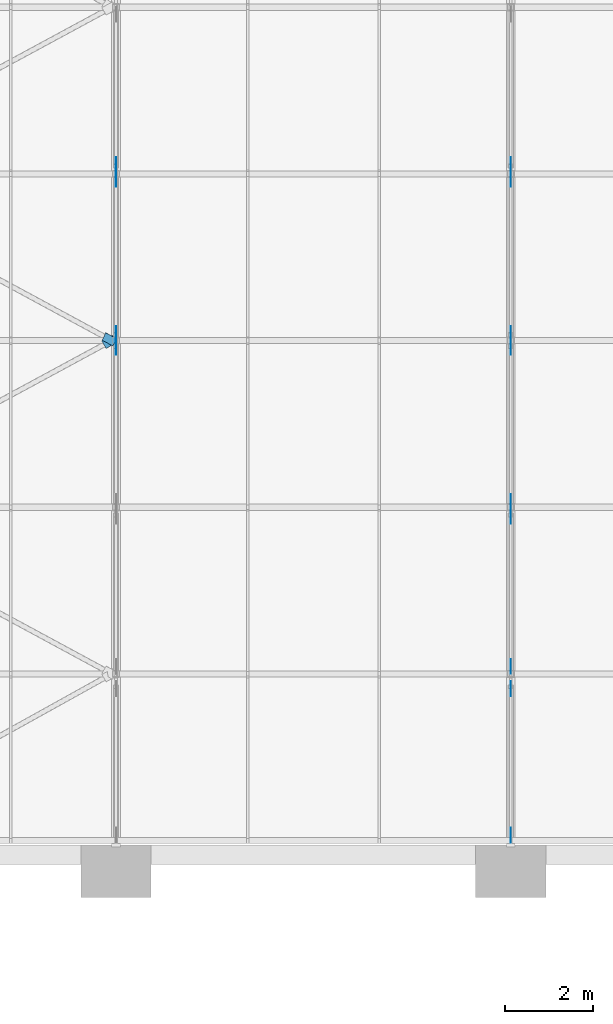
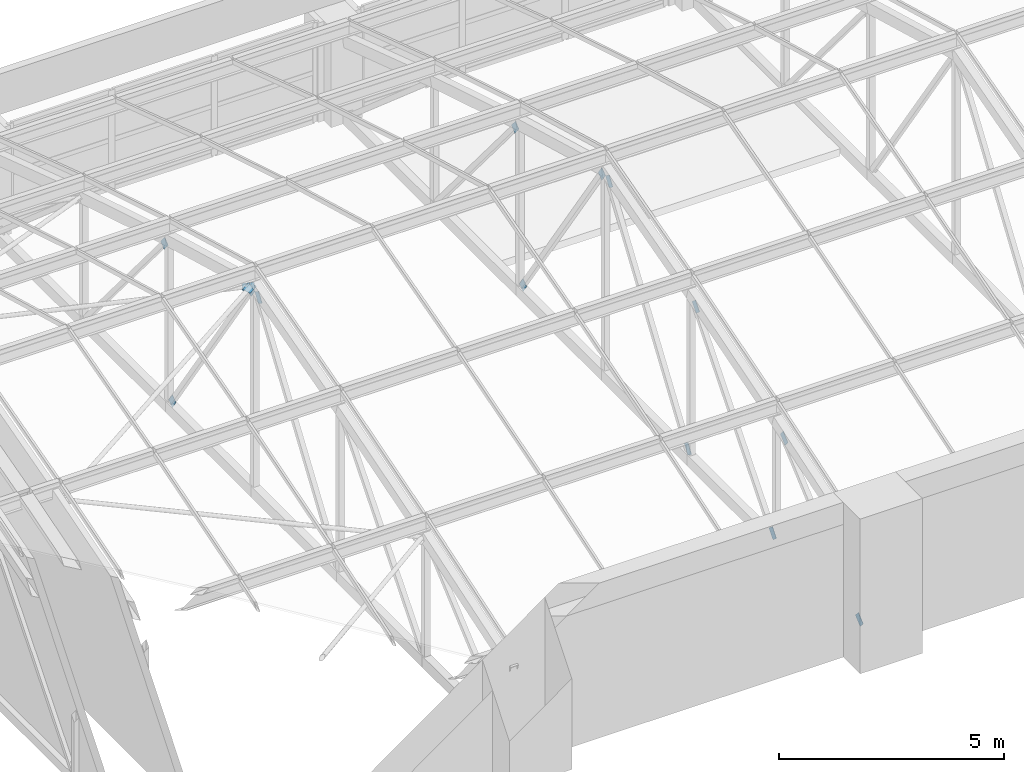
# One storey, part 72 of 82: 15 discrete accessories.
"""IFC4 building model written with IfcOpenShell, lengths in metres."""

import ifcopenshell
import ifcopenshell.guid

model = None  # the IFC model being written
_history = None  # IfcOwnerHistory: only IFC2X3 demands one
_inside = {}  # id of a spatial element -> (the spatial element, [elements in it])
_under = {}  # id of a project, library or spatial element -> (it, [spatial elements below it])
_declared = {}  # id of a project -> (the project, [libraries it declares])
_typed = {}  # id of a type object -> (the type object, [elements of that type])
_made_of = {}  # id of a material, layer set ... -> (it, [elements and type objects made of it])


def new_model(schema):
    """Start an empty IFC model of exactly this schema.

    Asked for "IFC4X3", IfcOpenShell would pick the latest addendum, in which some entities
    have other attributes; the version numbers below select the first issue.
    IFC2X3 requires an IfcOwnerHistory on every rooted entity: one is made here for all.
    """
    global model, _history
    if schema == "IFC4X3":
        model = ifcopenshell.file(schema_version=(4, 3, 0, 0))
    else:
        model = ifcopenshell.file(schema=schema)
    _inside.clear()
    _under.clear()
    _declared.clear()
    _typed.clear()
    _made_of.clear()
    _history = None
    if model.schema == "IFC2X3":
        org = make("IfcOrganization", Name="unknown")
        user = make(
            "IfcPersonAndOrganization",
            ThePerson=make("IfcPerson", FamilyName="unknown"),
            TheOrganization=org,
        )
        app = make(
            "IfcApplication",
            ApplicationDeveloper=org,
            Version="unknown",
            ApplicationFullName="unknown",
            ApplicationIdentifier="unknown",
        )
        _history = make(
            "IfcOwnerHistory",
            OwningUser=user,
            OwningApplication=app,
            ChangeAction="ADDED",
            CreationDate=0,
        )
    return model


def make(cls, **values):
    """One entity of the class cls with the attributes given. An attribute that is None is left unset."""
    return model.create_entity(
        cls, **{name: value for name, value in values.items() if value is not None}
    )


def rooted(cls, **values):
    """An entity with a GlobalId (a new one), such as an element, a storey or a relation."""
    return make(cls, GlobalId=ifcopenshell.guid.new(), OwnerHistory=_history, **values)


def si_unit(unit_type, name, prefix=None):
    """IfcSIUnit, for example si_unit("LENGTHUNIT", "METRE", prefix="MILLI")."""
    return make("IfcSIUnit", UnitType=unit_type, Prefix=prefix, Name=name)


def assignment(units):
    """IfcUnitAssignment: the units of a project."""
    return None if units is None else make("IfcUnitAssignment", Units=units)


def point(xyz):
    """IfcCartesianPoint."""
    return None if xyz is None else make("IfcCartesianPoint", Coordinates=xyz)


def direction(xyz):
    """IfcDirection."""
    return None if xyz is None else make("IfcDirection", DirectionRatios=xyz)


def frame(location, z_axis=None, x_axis=None):
    """IfcAxis2Placement3D, a coordinate frame: its origin and axes. An axis left out is left unset."""
    return make(
        "IfcAxis2Placement3D",
        Location=point(location),
        Axis=direction(z_axis),
        RefDirection=direction(x_axis),
    )


def origin():
    """The frame at (0, 0, 0) with its axes left unset."""
    return frame((0.0, 0.0, 0.0))


def place(relative_to, where):
    """IfcLocalPlacement: puts the frame where relative to a parent placement (None: the world)."""
    return make(
        "IfcLocalPlacement", PlacementRelTo=relative_to, RelativePlacement=where
    )


def context(
    kind, dimensions, precision=None, world=None, true_north=None, identifier=None
):
    """IfcGeometricRepresentationContext, for example the 3D "Model" context."""
    return make(
        "IfcGeometricRepresentationContext",
        ContextIdentifier=identifier,
        ContextType=kind,
        CoordinateSpaceDimension=dimensions,
        Precision=precision,
        WorldCoordinateSystem=world,
        TrueNorth=true_north,
    )


def subcontext(parent, identifier, kind, view, scale=None):
    """IfcGeometricRepresentationSubContext, for example "Body" below "Model"."""
    return make(
        "IfcGeometricRepresentationSubContext",
        ContextIdentifier=identifier,
        ContextType=kind,
        ParentContext=parent,
        TargetScale=scale,
        TargetView=view,
    )


def project(units=None, contexts=None):
    """IfcProject with its units and contexts."""
    return rooted(
        "IfcProject",
        Name="project",
        RepresentationContexts=contexts,
        UnitsInContext=assignment(units),
    )


def spatial(cls, under=None, at=None, **own):
    """A site, building, storey or space (cls), placed at a placement, below another one or the project."""
    s = rooted(cls, ObjectPlacement=at, **own)
    if under is not None:
        _under.setdefault(under.id(), (under, []))[1].append(s)
    return s


def polyline(points):
    """IfcPolyline through the points."""
    return make("IfcPolyline", Points=[point(p) for p in points])


def outline(outer, holes=None, kind="AREA"):
    """IfcArbitraryClosedProfileDef: a profile drawn as a closed curve; with holes, ...WithVoids."""
    if holes is None:
        return make("IfcArbitraryClosedProfileDef", ProfileType=kind, OuterCurve=outer)
    return make(
        "IfcArbitraryProfileDefWithVoids",
        ProfileType=kind,
        OuterCurve=outer,
        InnerCurves=holes,
    )


def extrude(swept, where, along, depth):
    """IfcExtrudedAreaSolid: the profile swept, set in the frame where, extruded along a direction by depth."""
    return make(
        "IfcExtrudedAreaSolid",
        SweptArea=swept,
        Position=where,
        ExtrudedDirection=direction(along),
        Depth=depth,
    )


def shape(context_of_items, identifier, shape_type, items):
    """IfcShapeRepresentation: the items that make up one representation, for example the "Body"."""
    return make(
        "IfcShapeRepresentation",
        ContextOfItems=context_of_items,
        RepresentationIdentifier=identifier,
        RepresentationType=shape_type,
        Items=items,
    )


def material(Name=None, Category=None):
    """IfcMaterial."""
    return make("IfcMaterial", Name=Name, Category=Category)


def layer(
    of_material, thickness, ventilated=None, Name=None, Category=None, Priority=None
):
    """IfcMaterialLayer: one layer of a wall or slab, of a material (None: an air gap)."""
    return make(
        "IfcMaterialLayer",
        Material=of_material,
        LayerThickness=thickness,
        IsVentilated=ventilated,
        Name=Name,
        Category=Category,
        Priority=Priority,
    )


def layer_set(layers, Name=None):
    """IfcMaterialLayerSet."""
    return make("IfcMaterialLayerSet", MaterialLayers=layers, LayerSetName=Name)


def made_of(thing, what):
    """Note that an element or type object is made of a material, layer set ...; save() writes the relation."""
    if what is not None:
        _made_of.setdefault(what.id(), (what, []))[1].append(thing)
    return thing


def type_object(cls, material=None, **own):
    """A type object (cls), such as IfcWallType, which elements share."""
    return made_of(rooted(cls, **own), material)


def element(
    cls,
    number,
    at=None,
    inside=None,
    cuts=None,
    type_object=None,
    material=None,
    context=None,
    identifier="Body",
    shape_type=None,
    held_by="IfcProductDefinitionShape",
    body=None,
    shapes=None,
    **own,
):
    """One element of the class cls, such as IfcWall. Its Tag is "e" and its number.

    at: its placement. inside: the storey or other place that contains it. cuts: it is an
    opening in that element (IfcRelVoidsElement). A single representation is given by context,
    identifier, shape_type and body (its items); several are given by shapes. held_by: the class
    of the entity that holds the representations. save() writes the other relations.
    """
    e = rooted(cls, Tag="e%d" % number, ObjectPlacement=at, **own)
    if body is not None:
        shapes = [shape(context, identifier, shape_type, body)]
    if shapes is not None:
        e.Representation = make(held_by, Representations=shapes)
    if inside is not None:
        _inside.setdefault(inside.id(), (inside, []))[1].append(e)
    if cuts is not None:
        rooted(
            "IfcRelVoidsElement", RelatingBuildingElement=cuts, RelatedOpeningElement=e
        )
    if type_object is not None:
        _typed.setdefault(type_object.id(), (type_object, []))[1].append(e)
    return made_of(e, material)


def aggregate(whole, parts):
    """IfcRelAggregates: a whole, such as a stair, and the parts it consists of."""
    return rooted("IfcRelAggregates", RelatingObject=whole, RelatedObjects=parts)


def save(model, path):
    """Write the relations noted so far, then the file.

    IfcRelAggregates (storeys below a building ...), IfcRelContainedInSpatialStructure (elements
    in a storey), IfcRelDefinesByType, IfcRelAssociatesMaterial and IfcRelDeclares: one each for
    every whole, place, type object, material and project.
    """
    for whole, parts in _under.values():
        aggregate(whole, parts)
    for where, things in _inside.values():
        rooted(
            "IfcRelContainedInSpatialStructure",
            RelatedElements=things,
            RelatingStructure=where,
        )
    for kind, things in _typed.values():
        rooted("IfcRelDefinesByType", RelatedObjects=things, RelatingType=kind)
    for what, things in _made_of.values():
        rooted("IfcRelAssociatesMaterial", RelatedObjects=things, RelatingMaterial=what)
    for by, libraries in _declared.values():
        rooted("IfcRelDeclares", RelatingContext=by, RelatedDefinitions=libraries)
    model.write(path)


model = new_model("IFC4")

# Units and contexts
model_context = context("Model", 3, precision=1e-05, world=origin(), true_north=direction((0.0, 1.0)))
body_context = subcontext(model_context, "Body", "Model", "MODEL_VIEW")
ifc_project = project(units=[si_unit("LENGTHUNIT", "METRE"), si_unit("AREAUNIT", "SQUARE_METRE"), si_unit("VOLUMEUNIT", "CUBIC_METRE"), si_unit("PLANEANGLEUNIT", "RADIAN"), si_unit("MASSUNIT", "GRAM", prefix="KILO")], contexts=[model_context])

# Site, building, storey
site_placement = place(None, origin())
site = spatial("IfcSite", under=ifc_project, at=site_placement, CompositionType="ELEMENT")
building_placement = place(site_placement, origin())
building = spatial("IfcBuilding", under=site, at=building_placement, Name="Aravalli Gate Trade Fair Centre", CompositionType="ELEMENT")
storey_placement = place(building_placement, frame((0.0, 0.0, 19.199951171875)))
storey = spatial("IfcBuildingStorey", under=building, at=storey_placement, Name="L04", CompositionType="ELEMENT", Elevation=19.199951171875)

# Discrete accessories
ifc_material = material(Name="Steel E350", Category="steel")
ifc_layer = layer(ifc_material, 0.010009765625)
ifc_layer_set = layer_set([ifc_layer], Name="Steel E350")
discrete_accessory_type = type_object("IfcDiscreteAccessoryType", Name="Gusset plate 200 x 200 x 10", PredefinedType="USERDEFINED", material=ifc_layer_set)
discrete_accessory_1_placement = place(storey_placement, frame((113.9951171875, 120.77392578125, 5.423828125), z_axis=(-1.0, 0.0, 0.0), x_axis=(0.0, 0.564121160258, 0.82569202282)))
element("IfcDiscreteAccessory", 1, at=discrete_accessory_1_placement, inside=storey, type_object=discrete_accessory_type, Name="Gusset plate Concourse vault truss CT1 line 13 diagonal D3 end B", ObjectType="GUSSET PLATE", PredefinedType="USERDEFINED", context=body_context, shape_type="SweptSolid", body=[
    extrude(outline(polyline([(0.0, 0.0), (0.2800089688227054, -2.7755575615628914e-17), (0.2801803266875835, 0.19976261286755298), (0.00010749779101053292, 0.20010192272670302), (0.0, 0.0)])), origin(), (0.0, 0.0, -1.0), 0.010009765625),
])
discrete_accessory_2_placement = place(storey_placement, frame((113.9951171875, 121.2607421875, 5.31103515625), z_axis=(-1.0, 0.0, 0.0), x_axis=(0.0, -0.563120416317, 0.826374852429)))
element("IfcDiscreteAccessory", 2, at=discrete_accessory_2_placement, inside=storey, type_object=discrete_accessory_type, Name="Gusset plate Concourse vault truss CT1 line 13 diagonal D4 end A", ObjectType="GUSSET PLATE", PredefinedType="USERDEFINED", context=body_context, shape_type="SweptSolid", body=[
    extrude(outline(polyline([(0.0, 0.0), (0.28007303443443027, 0.0), (0.2800062095132191, 0.19996442554114646), (0.00013492675174497926, 0.20010190611153644), (0.0, 0.0)])), origin(), (0.0, 0.0, -1.0), 0.010009765625),
])
discrete_accessory_3_placement = place(storey_placement, frame((114.0048828125, 124.602294921875, 0.408935546875), z_axis=(1.0, 0.0, 0.0), x_axis=(0.0, 0.563526286674, -0.826098132323)))
element("IfcDiscreteAccessory", 3, at=discrete_accessory_3_placement, inside=storey, type_object=discrete_accessory_type, Name="Gusset plate Concourse vault truss CT1 line 13 diagonal D4 end B", ObjectType="GUSSET PLATE", PredefinedType="USERDEFINED", context=body_context, shape_type="SweptSolid", body=[
    extrude(outline(polyline([(0.0, 0.0), (0.279871316528615, 0.0), (0.2800363695260922, 0.19996436858870342), (-3.6631116859461854e-05, 0.20010194824853597), (0.0, 0.0)])), origin(), (0.0, 0.0, -1.0), 0.010009765625),
])
discrete_accessory_4_placement = place(storey_placement, frame((113.9951171875, 125.128662109375, 4.24560546875), z_axis=(-1.0, 0.0, 0.0), x_axis=(0.0, -0.643008166301, 0.765859320025)))
element("IfcDiscreteAccessory", 4, at=discrete_accessory_4_placement, inside=storey, type_object=discrete_accessory_type, Name="Gusset plate Concourse vault truss CT1 line 13 diagonal D5 end A", ObjectType="GUSSET PLATE", PredefinedType="USERDEFINED", context=body_context, shape_type="SweptSolid", body=[
    extrude(outline(polyline([(0.0, 0.0), (0.28020760962713065, 0.0), (0.2803154566443524, 0.19996559992596197), (0.00010784701722174606, 0.19996559992596197), (0.0, 0.0)])), origin(), (0.0, 0.0, -1.0), 0.010009765625),
])
discrete_accessory_5_placement = place(storey_placement, frame((123.0048828125, 109.859375, 0.506591796875), z_axis=(1.0, 0.0, 0.0), x_axis=(0.0, -0.75586164892, -0.654731370633)))
element("IfcDiscreteAccessory", 5, at=discrete_accessory_5_placement, inside=storey, type_object=discrete_accessory_type, Name="Gusset plate Concourse vault truss CT1 line 14 diagonal D1 end A", ObjectType="GUSSET PLATE", PredefinedType="USERDEFINED", context=body_context, shape_type="SweptSolid", body=[
    extrude(outline(polyline([(0.0, 0.0), (0.28003791722646004, 0.0), (0.2802558704124233, 0.19974600682874327), (0.0001932631766158044, 0.20009038989015776), (0.0, 0.0)])), origin(), (0.0, 0.0, -1.0), 0.010009765625),
])
discrete_accessory_6_placement = place(storey_placement, frame((122.9951171875, 112.988525390625, 3.212158203125), z_axis=(-1.0, 0.0, 0.0), x_axis=(0.0, 0.756293179151, 0.654232853937)))
element("IfcDiscreteAccessory", 6, at=discrete_accessory_6_placement, inside=storey, type_object=discrete_accessory_type, Name="Gusset plate Concourse vault truss CT1 line 14 diagonal D1 end B", ObjectType="GUSSET PLATE", PredefinedType="USERDEFINED", context=body_context, shape_type="SweptSolid", body=[
    extrude(outline(polyline([(0.0, 0.0), (0.2798781315371493, 0.0), (0.27981679720709274, 0.20009047382409476), (-6.133433005656164e-05, 0.20009047382409473), (0.0, 0.0)])), origin(), (0.0, 0.0, -1.0), 0.010009765625),
])
discrete_accessory_7_placement = place(storey_placement, frame((123.0048828125, 113.677978515625, 0.517578125), z_axis=(1.0, 0.0, 0.0), x_axis=(0.0, -0.642926085547, -0.765928226744)))
element("IfcDiscreteAccessory", 7, at=discrete_accessory_7_placement, inside=storey, type_object=discrete_accessory_type, Name="Gusset plate Concourse vault truss CT1 line 14 diagonal D2 end A", ObjectType="GUSSET PLATE", PredefinedType="USERDEFINED", context=body_context, shape_type="SweptSolid", body=[
    extrude(outline(polyline([(0.0, 0.0), (0.2798636494456477, 2.7755575615628914e-17), (0.2799929267542597, 0.1999655872196676), (-2.768706774226859e-05, 0.20015258141565), (0.0, 0.0)])), origin(), (0.0, 0.0, -1.0), 0.010009765625),
])
discrete_accessory_8_placement = place(storey_placement, frame((122.9951171875, 116.918212890625, 4.374267578125), z_axis=(-1.0, 0.0, 0.0), x_axis=(0.0, 0.643008166301, 0.765859320025)))
element("IfcDiscreteAccessory", 8, at=discrete_accessory_8_placement, inside=storey, type_object=discrete_accessory_type, Name="Gusset plate Concourse vault truss CT1 line 14 diagonal D2 end B", ObjectType="GUSSET PLATE", PredefinedType="USERDEFINED", context=body_context, shape_type="SweptSolid", body=[
    extrude(outline(polyline([(0.0, 0.0), (0.28020760962713065, 0.0), (0.2802567470255098, 0.2001525772990151), (-0.00010784701722174606, 0.19996559992596197), (0.0, 0.0)])), origin(), (0.0, 0.0, -1.0), 0.010009765625),
])
discrete_accessory_9_placement = place(storey_placement, frame((123.0048828125, 117.432373046875, 0.521728515625), z_axis=(1.0, 0.0, 0.0), x_axis=(0.0, -0.563120416317, -0.826374852429)))
element("IfcDiscreteAccessory", 9, at=discrete_accessory_9_placement, inside=storey, type_object=discrete_accessory_type, Name="Gusset plate Concourse vault truss CT1 line 14 diagonal D3 end A", ObjectType="GUSSET PLATE", PredefinedType="USERDEFINED", context=body_context, shape_type="SweptSolid", body=[
    extrude(outline(polyline([(0.0, 0.0), (0.28007303443443027, 0.0), (0.2800062095132191, 0.19996442554114646), (0.00013492675174497926, 0.20010190611153644), (0.0, 0.0)])), origin(), (0.0, 0.0, -1.0), 0.010009765625),
])
discrete_accessory_10_placement = place(storey_placement, frame((122.9951171875, 120.77392578125, 5.423828125), z_axis=(-1.0, 0.0, 0.0), x_axis=(0.0, 0.564121160258, 0.82569202282)))
element("IfcDiscreteAccessory", 10, at=discrete_accessory_10_placement, inside=storey, type_object=discrete_accessory_type, Name="Gusset plate Concourse vault truss CT1 line 14 diagonal D3 end B", ObjectType="GUSSET PLATE", PredefinedType="USERDEFINED", context=body_context, shape_type="SweptSolid", body=[
    extrude(outline(polyline([(0.0, 0.0), (0.2800089688227054, -2.7755575615628914e-17), (0.2801803266875835, 0.19976261286755298), (0.00010749779101053292, 0.20010192272670302), (0.0, 0.0)])), origin(), (0.0, 0.0, -1.0), 0.010009765625),
])
discrete_accessory_11_placement = place(storey_placement, frame((122.9951171875, 121.2607421875, 5.31103515625), z_axis=(-1.0, 0.0, 0.0), x_axis=(0.0, -0.563120416317, 0.826374852429)))
element("IfcDiscreteAccessory", 11, at=discrete_accessory_11_placement, inside=storey, type_object=discrete_accessory_type, Name="Gusset plate Concourse vault truss CT1 line 14 diagonal D4 end A", ObjectType="GUSSET PLATE", PredefinedType="USERDEFINED", context=body_context, shape_type="SweptSolid", body=[
    extrude(outline(polyline([(0.0, 0.0), (0.28007303443443027, 0.0), (0.2800062095132191, 0.19996442554114646), (0.00013492675174497926, 0.20010190611153644), (0.0, 0.0)])), origin(), (0.0, 0.0, -1.0), 0.010009765625),
])
discrete_accessory_12_placement = place(storey_placement, frame((123.0048828125, 124.602294921875, 0.408935546875), z_axis=(1.0, 0.0, 0.0), x_axis=(0.0, 0.563526286674, -0.826098132323)))
element("IfcDiscreteAccessory", 12, at=discrete_accessory_12_placement, inside=storey, type_object=discrete_accessory_type, Name="Gusset plate Concourse vault truss CT1 line 14 diagonal D4 end B", ObjectType="GUSSET PLATE", PredefinedType="USERDEFINED", context=body_context, shape_type="SweptSolid", body=[
    extrude(outline(polyline([(0.0, 0.0), (0.279871316528615, 0.0), (0.2800363695260922, 0.19996436858870342), (-3.6631116859461854e-05, 0.20010194824853597), (0.0, 0.0)])), origin(), (0.0, 0.0, -1.0), 0.010009765625),
])
discrete_accessory_13_placement = place(storey_placement, frame((122.9951171875, 125.128662109375, 4.24560546875), z_axis=(-1.0, 0.0, 0.0), x_axis=(0.0, -0.643008166301, 0.765859320025)))
element("IfcDiscreteAccessory", 13, at=discrete_accessory_13_placement, inside=storey, type_object=discrete_accessory_type, Name="Gusset plate Concourse vault truss CT1 line 14 diagonal D5 end A", ObjectType="GUSSET PLATE", PredefinedType="USERDEFINED", context=body_context, shape_type="SweptSolid", body=[
    extrude(outline(polyline([(0.0, 0.0), (0.28020760962713065, 0.0), (0.2803154566443524, 0.19996559992596197), (0.00010784701722174606, 0.19996559992596197), (0.0, 0.0)])), origin(), (0.0, 0.0, -1.0), 0.010009765625),
])
discrete_accessory_14_placement = place(storey_placement, frame((113.7744140625, 120.920166015625, 5.680419921875), z_axis=(0.00366802525, -0.26663574669, 0.963790394317), x_axis=(0.872224029555, 0.472242375198, 0.127327849799)))
element("IfcDiscreteAccessory", 14, at=discrete_accessory_14_placement, inside=storey, type_object=discrete_accessory_type, Name="Gusset plate Vault plan brace 13.3 end B", ObjectType="GUSSET PLATE", PredefinedType="USERDEFINED", context=body_context, shape_type="SweptSolid", body=[
    extrude(outline(polyline([(0.0, 0.0), (0.28018590991513265, -1.3877787807814457e-17), (0.28008529112762165, 0.19998810447500182), (0.00022762008083687495, 0.20007381767771132), (0.0, 0.0)])), origin(), (0.0, 0.0, -1.0), 0.010009765625),
])
discrete_accessory_15_placement = place(storey_placement, frame((113.68359375, 121.108642578125, 5.66845703125), z_axis=(-0.273778161636, -0.256794772922, 0.92687753388), x_axis=(0.872505161348, -0.471810886308, 0.127000909373)))
element("IfcDiscreteAccessory", 15, at=discrete_accessory_15_placement, inside=storey, type_object=discrete_accessory_type, Name="Gusset plate Vault plan brace 13.4 end B", ObjectType="GUSSET PLATE", PredefinedType="USERDEFINED", context=body_context, shape_type="SweptSolid", body=[
    extrude(outline(polyline([(0.0, 0.0), (0.2800396698880651, -1.734723475976807e-17), (0.2799440033073938, 0.2000078490941597), (-2.8846911319040103e-05, 0.20022634200601086), (0.0, 0.0)])), origin(), (0.0, 0.0, -1.0), 0.010009765625),
])

save(model, "model.ifc")
